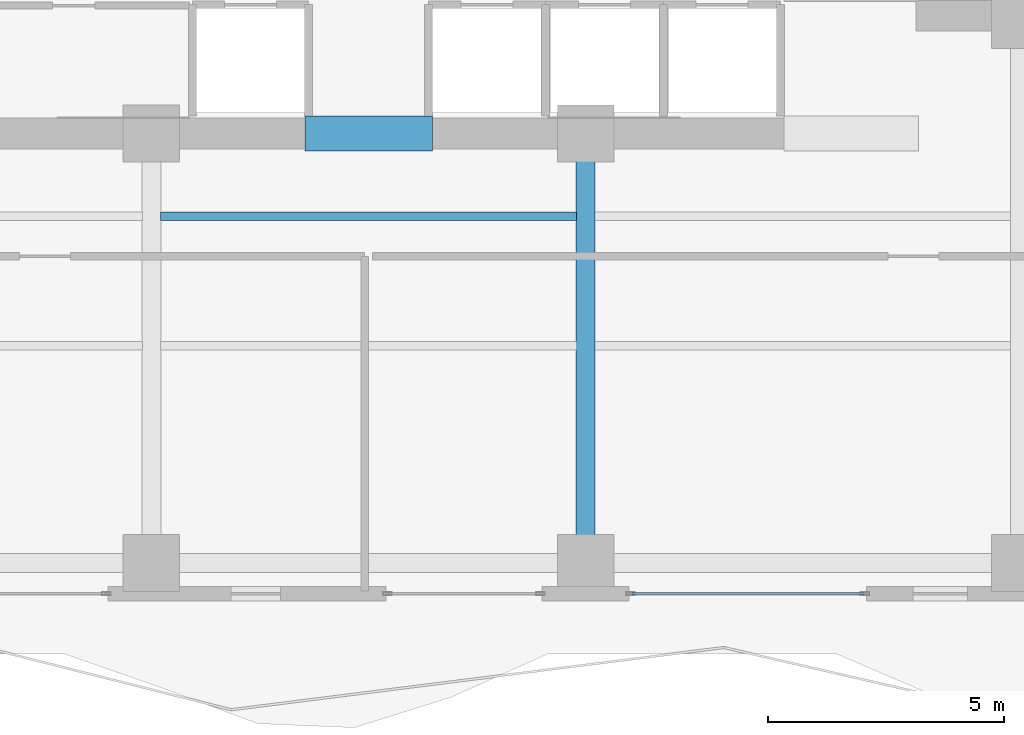
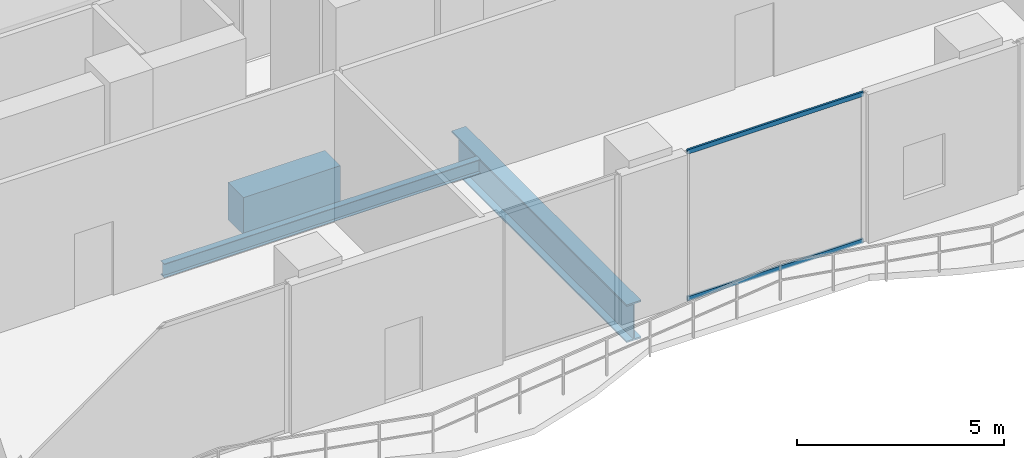
# One storey, part 7 of 33: 3 beams, 2 members, 1 element without a shape of its own.
"""IFC4 building model written with IfcOpenShell, lengths in metres."""

from ifc_helpers import new_model, si_unit, direction, frame, origin, origin_2d, place, context, subcontext, project, spatial, rectangle, hollow_rectangle, i_section, extrude, material, layer, layer_set, material_profile, profile_set, type_object, element, aggregate, save


model = new_model("IFC4")

# Units and contexts
model_context = context("Model", 3, precision=1e-05, world=origin(), true_north=direction((0.0, 1.0)))
body_context = subcontext(model_context, "Body", "Model", "MODEL_VIEW")
ifc_project = project(units=[si_unit("LENGTHUNIT", "METRE"), si_unit("AREAUNIT", "SQUARE_METRE"), si_unit("VOLUMEUNIT", "CUBIC_METRE"), si_unit("PLANEANGLEUNIT", "RADIAN"), si_unit("MASSUNIT", "GRAM", prefix="KILO")], contexts=[model_context])

# Site, building, storey
site_placement = place(None, origin())
site = spatial("IfcSite", under=ifc_project, at=site_placement, CompositionType="ELEMENT")
building_placement = place(site_placement, origin())
building = spatial("IfcBuilding", under=site, at=building_placement, Name="Zuhayl Quay Hotel", CompositionType="ELEMENT")
storey_placement = place(building_placement, frame((0.0, 0.0, 168.199951171875)))
storey = spatial("IfcBuildingStorey", under=building, at=storey_placement, Name="L42", CompositionType="ELEMENT", Elevation=168.199951171875)

# Beams
ifc_material_1 = material(Name="Concrete C60/75", Category="concrete")
ifc_material_profile_1 = material_profile(ifc_material_1, rectangle(XDim=0.75, YDim=1.10009765625, at=origin_2d()), Name="RC750X1100")
ifc_profile_set_1 = profile_set([ifc_material_profile_1], Name="Concrete C60/75")
beam_type_1 = type_object("IfcBeamType", Name="BM_CB2_RC750", PredefinedType="T_BEAM", material=ifc_profile_set_1)
beam_1_placement = place(storey_placement, frame((-1.35009765625, 2.14990234375, -0.81005859375), z_axis=(1.0, 0.0, 0.0), x_axis=(0.0, 1.0, 0.0)))
element("IfcBeam", 1, at=beam_1_placement, inside=storey, type_object=beam_type_1, Name="L42 Core Coupling Beam South", PredefinedType="T_BEAM", context=body_context, shape_type="SweptSolid", body=[
    extrude(rectangle(XDim=0.75, YDim=1.10009765625, at=origin_2d()), origin(), (0.0, 0.0, 1.0), 2.7001953125),
])
ifc_material_2 = material(Name="Steel ASTM A992 Grade 50", Category="steel")
ifc_material_profile_2 = material_profile(ifc_material_2, i_section(OverallWidth=0.177978515625, OverallDepth=0.406005859375, WebThickness=0.0078125, FlangeThickness=0.0126953125, at=origin_2d()), Name="W16X40")
ifc_profile_set_2 = profile_set([ifc_material_profile_2], Name="Steel ASTM A992 Grade 50")
beam_type_2 = type_object("IfcBeamType", Name="BM_J2B_W16X40", PredefinedType="JOIST", material=ifc_profile_set_2)
beam_2_placement = place(storey_placement, frame((-4.406005859375, 0.39990234375, -0.462890625), z_axis=(1.0, 0.0, 0.0), x_axis=(0.0, 1.0, 0.0)))
element("IfcBeam", 2, at=beam_2_placement, inside=storey, type_object=beam_type_2, Name="L42 Floor Beam FJ_L42_8_2", PredefinedType="JOIST", context=body_context, shape_type="SweptSolid", body=[
    extrude(i_section(OverallWidth=0.177978515625, OverallDepth=0.406005859375, WebThickness=0.0078125, FlangeThickness=0.0126953125, at=origin_2d()), origin(), (0.0, 0.0, 1.0), 8.81201171875),
])
ifc_material_3 = material(Name="Steel ASTM A913 Grade 65", Category="steel")
ifc_material_profile_3 = material_profile(ifc_material_3, i_section(OverallWidth=0.404052734375, OverallDepth=1.117919921875, WebThickness=0.026123046875, FlangeThickness=0.044921875, at=origin_2d()), Name="W44X335")
ifc_profile_set_3 = profile_set([ifc_material_profile_3], Name="Steel ASTM A913 Grade 65")
beam_type_3 = type_object("IfcBeamType", Name="BM_TG1_W44X335", PredefinedType="BEAM", material=ifc_profile_set_3)
beam_3_placement = place(storey_placement, frame((4.60009765625, -6.75, -0.81884765625), z_axis=(0.0, 1.0, 0.0), x_axis=(-1.0, 0.0, 0.0)))
element("IfcBeam", 3, at=beam_3_placement, inside=storey, type_object=beam_type_3, Name="L42 Floor Beam FG_S_L42_3", PredefinedType="BEAM", context=body_context, shape_type="SweptSolid", body=[
    extrude(i_section(OverallWidth=0.404052734375, OverallDepth=1.117919921875, WebThickness=0.026123046875, FlangeThickness=0.044921875, at=origin_2d()), origin(), (0.0, 0.0, 1.0), 8.449951171875),
])

# Curtain wall, members
ifc_material_4 = material(Name="Anodised Aluminium 6063-T6", Category="aluminium")
ifc_layer = layer(ifc_material_4, 0.175048828125, Name="Anodised Aluminium 6063-T6", Category="aluminium")
ifc_layer_set = layer_set([ifc_layer], Name="Anodised Aluminium 6063-T6")
curtain_wall_type = type_object("IfcCurtainWallType", Name="CW_SYS_Z3", PredefinedType="USERDEFINED", material=ifc_layer_set)
curtain_wall_placement = place(storey_placement, origin())
curtain_wall = element("IfcCurtainWall", 4, at=curtain_wall_placement, inside=storey, type_object=curtain_wall_type, Name="L42 Curtain Wall ENV_L42_S_CW2", ObjectType="UNITISED CURTAIN WALL", PredefinedType="USERDEFINED")
ifc_material_5 = material(Name="Black-anodised aluminium 6063-T6", Category="aluminium")
ifc_material_profile_4 = material_profile(ifc_material_5, hollow_rectangle(XDim=0.054931640625, YDim=0.1298828125, WallThickness=0.0029296875, at=origin_2d()), Name="ALU130X55")
ifc_profile_set_4 = profile_set([ifc_material_profile_4], Name="Black-anodised aluminium 6063-T6")
member_type = type_object("IfcMemberType", Name="MB_CW_TRN_130", PredefinedType="USERDEFINED", material=ifc_profile_set_4)
member_1_placement = place(storey_placement, frame((10.485107421875, -7.60009765625, 0.027587890625), z_axis=(-1.0, 0.0, 0.0), x_axis=(0.0, -1.0, 0.0)))
member_1 = element("IfcMember", 5, at=member_1_placement, type_object=member_type, Name="CW-Z3 transom 1.1", ObjectType="TRANSOM", PredefinedType="USERDEFINED", context=body_context, shape_type="SweptSolid", body=[
    extrude(hollow_rectangle(XDim=0.054931640625, YDim=0.1298828125, WallThickness=0.0029296875, at=origin_2d()), origin(), (0.0, 0.0, 1.0), 4.900146484375),
])
member_2_placement = place(storey_placement, frame((10.485107421875, -7.60009765625, 4.3525390625), z_axis=(-1.0, 0.0, 0.0), x_axis=(0.0, -1.0, 0.0)))
member_2 = element("IfcMember", 6, at=member_2_placement, type_object=member_type, Name="CW-Z3 transom 1.2", ObjectType="TRANSOM", PredefinedType="USERDEFINED", context=body_context, shape_type="SweptSolid", body=[
    extrude(hollow_rectangle(XDim=0.054931640625, YDim=0.1298828125, WallThickness=0.0029296875, at=origin_2d()), origin(), (0.0, 0.0, 1.0), 4.900146484375),
])
aggregate(curtain_wall, [member_1, member_2])

save(model, "model.ifc")
